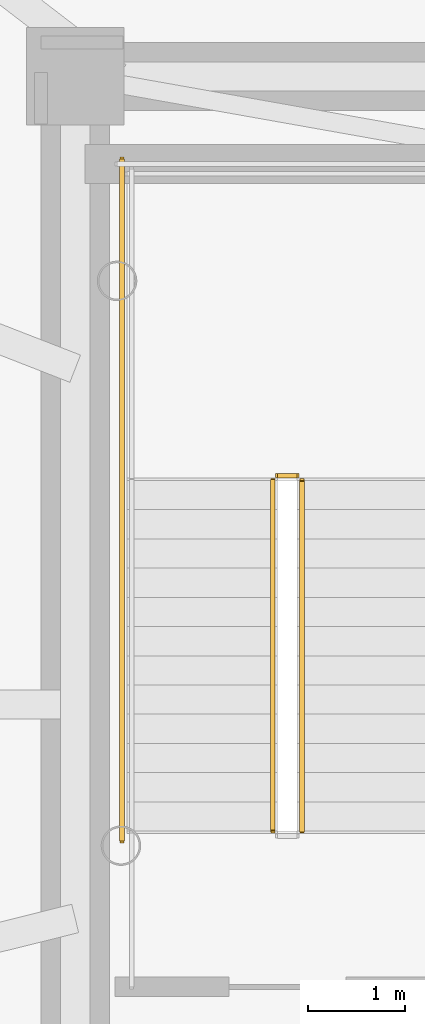
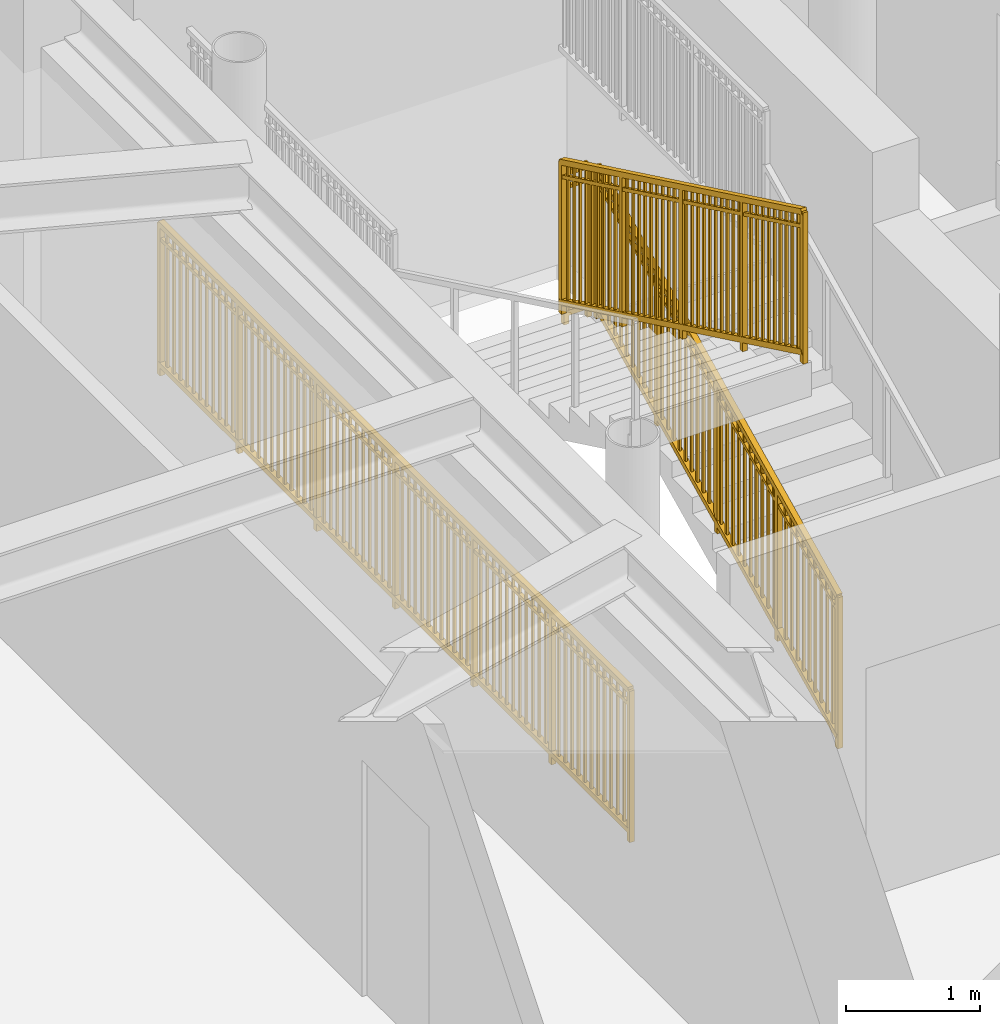
# One storey, part 13 of 17: 4 railings.
"""IFC4 building model written with IfcOpenShell, lengths in metres."""

from ifc_helpers import new_model, si_unit, direction, frame, origin, origin_2d, place, context, subcontext, project, spatial, rectangle, extrude, source, transform, mapped, material, type_object, element, save


model = new_model("IFC4")

# Units and contexts
model_context = context("Model", 3, precision=1e-05, world=origin(), true_north=direction((0.0, 1.0)))
body_context = subcontext(model_context, "Body", "Model", "MODEL_VIEW")
ifc_project = project(units=[si_unit("LENGTHUNIT", "METRE"), si_unit("AREAUNIT", "SQUARE_METRE"), si_unit("VOLUMEUNIT", "CUBIC_METRE"), si_unit("PLANEANGLEUNIT", "RADIAN"), si_unit("MASSUNIT", "GRAM", prefix="KILO")], contexts=[model_context])

# Site, building, storey
site_placement = place(None, origin())
site = spatial("IfcSite", under=ifc_project, at=site_placement, CompositionType="ELEMENT")
building_placement = place(site_placement, origin())
building = spatial("IfcBuilding", under=site, at=building_placement, Name="Linh Dai School and Residence Tower", CompositionType="ELEMENT")
storey_placement = place(building_placement, frame((0.0, 0.0, 276.75)))
storey = spatial("IfcBuildingStorey", under=building, at=storey_placement, Name="L68", CompositionType="ELEMENT", Elevation=276.75)

# Railings
ifc_material = material(Name="Structural Steel S355JR", Category="steel")
railing_type = type_object("IfcRailingType", Name="RL-ST-GUARD-1400", PredefinedType="GUARDRAIL", material=ifc_material)
shared_shape_1 = source(origin(), body_context, "Body", "SweptSolid", [
    extrude(rectangle(XDim=0.048095703125, YDim=0.048095703125, at=origin_2d()), frame((0.0, 0.0, 1.3759765625), z_axis=(-1.0, 0.0, 0.0), x_axis=(0.0, -1.0, 0.0)), (0.0, 0.0, 1.0), 0.199951171875),
    extrude(rectangle(XDim=0.048095703125, YDim=0.048095703125, at=origin_2d()), frame((0.0, 0.0, 0.10009765625), z_axis=(-1.0, 0.0, 0.0), x_axis=(0.0, -1.0, 0.0)), (0.0, 0.0, 1.0), 0.199951171875),
    extrude(rectangle(XDim=0.030029296875, YDim=0.030029296875, at=origin_2d()), frame((0.0, 0.0, 1.239990234375), z_axis=(-1.0, 0.0, 0.0), x_axis=(0.0, -1.0, 0.0)), (0.0, 0.0, 1.0), 0.199951171875),
    extrude(rectangle(XDim=0.0419921875, YDim=0.0419921875, at=origin_2d()), origin(), (0.0, 0.0, 1.0), 1.3759765625),
    extrude(rectangle(XDim=0.0419921875, YDim=0.0419921875, at=origin_2d()), frame((-0.199951171875, 0.0, 0.0)), (0.0, 0.0, 1.0), 1.3759765625),
])
railing_1_placement = place(storey_placement, frame((29.429931640625, 29.35009765625, 1.875)))
element("IfcRailing", 1, at=railing_1_placement, inside=storey, type_object=railing_type, Name="L68 ST1 stair guard 2", PredefinedType="GUARDRAIL", context=body_context, shape_type="MappedRepresentation", body=[
    mapped(shared_shape_1, transform((0.0, 0.0, 0.0), x_axis=(1.0, 0.0, 0.0), y_axis=(0.0, 1.0, 0.0), z_axis=(0.0, 0.0, 1.0), scale=1.0)),
])
shared_shape_2 = source(origin(), body_context, "Body", "SweptSolid", [
    extrude(rectangle(XDim=0.048095703125, YDim=0.048095703125, at=origin_2d()), frame((0.0, 0.0, 1.3759765625), z_axis=(0.0, 1.0, 0.0), x_axis=(-1.0, 0.0, 0.0)), (0.0, 0.0, 1.0), 7.0),
    extrude(rectangle(XDim=0.048095703125, YDim=0.048095703125, at=origin_2d()), frame((0.0, 0.0, 0.10009765625), z_axis=(0.0, 1.0, 0.0), x_axis=(-1.0, 0.0, 0.0)), (0.0, 0.0, 1.0), 7.0),
    extrude(rectangle(XDim=0.030029296875, YDim=0.030029296875, at=origin_2d()), frame((0.0, 0.0, 1.239990234375), z_axis=(0.0, 1.0, 0.0), x_axis=(-1.0, 0.0, 0.0)), (0.0, 0.0, 1.0), 7.0),
    extrude(rectangle(XDim=0.02001953125, YDim=0.02001953125, at=origin_2d()), frame((0.0, 0.09716796875, 0.10009765625)), (0.0, 0.0, 1.0), 1.251708984375),
    extrude(rectangle(XDim=0.02001953125, YDim=0.02001953125, at=origin_2d()), frame((0.0, 0.1943359375, 0.10009765625)), (0.0, 0.0, 1.0), 1.251708984375),
    extrude(rectangle(XDim=0.02001953125, YDim=0.02001953125, at=origin_2d()), frame((0.0, 0.291748046875, 0.10009765625)), (0.0, 0.0, 1.0), 1.251708984375),
    extrude(rectangle(XDim=0.02001953125, YDim=0.02001953125, at=origin_2d()), frame((0.0, 0.388916015625, 0.10009765625)), (0.0, 0.0, 1.0), 1.251708984375),
    extrude(rectangle(XDim=0.02001953125, YDim=0.02001953125, at=origin_2d()), frame((0.0, 0.486083984375, 0.10009765625)), (0.0, 0.0, 1.0), 1.251708984375),
    extrude(rectangle(XDim=0.02001953125, YDim=0.02001953125, at=origin_2d()), frame((0.0, 0.583251953125, 0.10009765625)), (0.0, 0.0, 1.0), 1.251708984375),
    extrude(rectangle(XDim=0.02001953125, YDim=0.02001953125, at=origin_2d()), frame((0.0, 0.6806640625, 0.10009765625)), (0.0, 0.0, 1.0), 1.251708984375),
    extrude(rectangle(XDim=0.02001953125, YDim=0.02001953125, at=origin_2d()), frame((0.0, 0.77783203125, 0.10009765625)), (0.0, 0.0, 1.0), 1.251708984375),
    extrude(rectangle(XDim=0.02001953125, YDim=0.02001953125, at=origin_2d()), frame((0.0, 0.875, 0.10009765625)), (0.0, 0.0, 1.0), 1.251708984375),
    extrude(rectangle(XDim=0.02001953125, YDim=0.02001953125, at=origin_2d()), frame((0.0, 0.97216796875, 0.10009765625)), (0.0, 0.0, 1.0), 1.251708984375),
    extrude(rectangle(XDim=0.02001953125, YDim=0.02001953125, at=origin_2d()), frame((0.0, 1.0693359375, 0.10009765625)), (0.0, 0.0, 1.0), 1.251708984375),
    extrude(rectangle(XDim=0.02001953125, YDim=0.02001953125, at=origin_2d()), frame((0.0, 1.263916015625, 0.10009765625)), (0.0, 0.0, 1.0), 1.251708984375),
    extrude(rectangle(XDim=0.02001953125, YDim=0.02001953125, at=origin_2d()), frame((0.0, 1.361083984375, 0.10009765625)), (0.0, 0.0, 1.0), 1.251708984375),
    extrude(rectangle(XDim=0.02001953125, YDim=0.02001953125, at=origin_2d()), frame((0.0, 1.458251953125, 0.10009765625)), (0.0, 0.0, 1.0), 1.251708984375),
    extrude(rectangle(XDim=0.02001953125, YDim=0.02001953125, at=origin_2d()), frame((0.0, 1.5556640625, 0.10009765625)), (0.0, 0.0, 1.0), 1.251708984375),
    extrude(rectangle(XDim=0.02001953125, YDim=0.02001953125, at=origin_2d()), frame((0.0, 1.65283203125, 0.10009765625)), (0.0, 0.0, 1.0), 1.251708984375),
    extrude(rectangle(XDim=0.02001953125, YDim=0.02001953125, at=origin_2d()), frame((0.0, 1.75, 0.10009765625)), (0.0, 0.0, 1.0), 1.251708984375),
    extrude(rectangle(XDim=0.02001953125, YDim=0.02001953125, at=origin_2d()), frame((0.0, 1.84716796875, 0.10009765625)), (0.0, 0.0, 1.0), 1.251708984375),
    extrude(rectangle(XDim=0.02001953125, YDim=0.02001953125, at=origin_2d()), frame((0.0, 1.9443359375, 0.10009765625)), (0.0, 0.0, 1.0), 1.251708984375),
    extrude(rectangle(XDim=0.02001953125, YDim=0.02001953125, at=origin_2d()), frame((0.0, 2.041748046875, 0.10009765625)), (0.0, 0.0, 1.0), 1.251708984375),
    extrude(rectangle(XDim=0.02001953125, YDim=0.02001953125, at=origin_2d()), frame((0.0, 2.138916015625, 0.10009765625)), (0.0, 0.0, 1.0), 1.251708984375),
    extrude(rectangle(XDim=0.02001953125, YDim=0.02001953125, at=origin_2d()), frame((0.0, 2.236083984375, 0.10009765625)), (0.0, 0.0, 1.0), 1.251708984375),
    extrude(rectangle(XDim=0.02001953125, YDim=0.02001953125, at=origin_2d()), frame((0.0, 2.4306640625, 0.10009765625)), (0.0, 0.0, 1.0), 1.251708984375),
    extrude(rectangle(XDim=0.02001953125, YDim=0.02001953125, at=origin_2d()), frame((0.0, 2.52783203125, 0.10009765625)), (0.0, 0.0, 1.0), 1.251708984375),
    extrude(rectangle(XDim=0.02001953125, YDim=0.02001953125, at=origin_2d()), frame((0.0, 2.625, 0.10009765625)), (0.0, 0.0, 1.0), 1.251708984375),
    extrude(rectangle(XDim=0.02001953125, YDim=0.02001953125, at=origin_2d()), frame((0.0, 2.72216796875, 0.10009765625)), (0.0, 0.0, 1.0), 1.251708984375),
    extrude(rectangle(XDim=0.02001953125, YDim=0.02001953125, at=origin_2d()), frame((0.0, 2.8193359375, 0.10009765625)), (0.0, 0.0, 1.0), 1.251708984375),
    extrude(rectangle(XDim=0.02001953125, YDim=0.02001953125, at=origin_2d()), frame((0.0, 2.916748046875, 0.10009765625)), (0.0, 0.0, 1.0), 1.251708984375),
    extrude(rectangle(XDim=0.02001953125, YDim=0.02001953125, at=origin_2d()), frame((0.0, 3.013916015625, 0.10009765625)), (0.0, 0.0, 1.0), 1.251708984375),
    extrude(rectangle(XDim=0.02001953125, YDim=0.02001953125, at=origin_2d()), frame((0.0, 3.111083984375, 0.10009765625)), (0.0, 0.0, 1.0), 1.251708984375),
    extrude(rectangle(XDim=0.02001953125, YDim=0.02001953125, at=origin_2d()), frame((0.0, 3.208251953125, 0.10009765625)), (0.0, 0.0, 1.0), 1.251708984375),
    extrude(rectangle(XDim=0.02001953125, YDim=0.02001953125, at=origin_2d()), frame((0.0, 3.3056640625, 0.10009765625)), (0.0, 0.0, 1.0), 1.251708984375),
    extrude(rectangle(XDim=0.02001953125, YDim=0.02001953125, at=origin_2d()), frame((0.0, 3.40283203125, 0.10009765625)), (0.0, 0.0, 1.0), 1.251708984375),
    extrude(rectangle(XDim=0.02001953125, YDim=0.02001953125, at=origin_2d()), frame((0.0, 3.59716796875, 0.10009765625)), (0.0, 0.0, 1.0), 1.251708984375),
    extrude(rectangle(XDim=0.02001953125, YDim=0.02001953125, at=origin_2d()), frame((0.0, 3.6943359375, 0.10009765625)), (0.0, 0.0, 1.0), 1.251708984375),
    extrude(rectangle(XDim=0.02001953125, YDim=0.02001953125, at=origin_2d()), frame((0.0, 3.791748046875, 0.10009765625)), (0.0, 0.0, 1.0), 1.251708984375),
    extrude(rectangle(XDim=0.02001953125, YDim=0.02001953125, at=origin_2d()), frame((0.0, 3.888916015625, 0.10009765625)), (0.0, 0.0, 1.0), 1.251708984375),
    extrude(rectangle(XDim=0.02001953125, YDim=0.02001953125, at=origin_2d()), frame((0.0, 3.986083984375, 0.10009765625)), (0.0, 0.0, 1.0), 1.251708984375),
    extrude(rectangle(XDim=0.02001953125, YDim=0.02001953125, at=origin_2d()), frame((0.0, 4.083251953125, 0.10009765625)), (0.0, 0.0, 1.0), 1.251708984375),
    extrude(rectangle(XDim=0.02001953125, YDim=0.02001953125, at=origin_2d()), frame((0.0, 4.1806640625, 0.10009765625)), (0.0, 0.0, 1.0), 1.251708984375),
    extrude(rectangle(XDim=0.02001953125, YDim=0.02001953125, at=origin_2d()), frame((0.0, 4.27783203125, 0.10009765625)), (0.0, 0.0, 1.0), 1.251708984375),
    extrude(rectangle(XDim=0.02001953125, YDim=0.02001953125, at=origin_2d()), frame((0.0, 4.375, 0.10009765625)), (0.0, 0.0, 1.0), 1.251708984375),
    extrude(rectangle(XDim=0.02001953125, YDim=0.02001953125, at=origin_2d()), frame((0.0, 4.47216796875, 0.10009765625)), (0.0, 0.0, 1.0), 1.251708984375),
    extrude(rectangle(XDim=0.02001953125, YDim=0.02001953125, at=origin_2d()), frame((0.0, 4.5693359375, 0.10009765625)), (0.0, 0.0, 1.0), 1.251708984375),
    extrude(rectangle(XDim=0.02001953125, YDim=0.02001953125, at=origin_2d()), frame((0.0, 4.763916015625, 0.10009765625)), (0.0, 0.0, 1.0), 1.251708984375),
    extrude(rectangle(XDim=0.02001953125, YDim=0.02001953125, at=origin_2d()), frame((0.0, 4.861083984375, 0.10009765625)), (0.0, 0.0, 1.0), 1.251708984375),
    extrude(rectangle(XDim=0.02001953125, YDim=0.02001953125, at=origin_2d()), frame((0.0, 4.958251953125, 0.10009765625)), (0.0, 0.0, 1.0), 1.251708984375),
    extrude(rectangle(XDim=0.02001953125, YDim=0.02001953125, at=origin_2d()), frame((0.0, 5.0556640625, 0.10009765625)), (0.0, 0.0, 1.0), 1.251708984375),
    extrude(rectangle(XDim=0.02001953125, YDim=0.02001953125, at=origin_2d()), frame((0.0, 5.15283203125, 0.10009765625)), (0.0, 0.0, 1.0), 1.251708984375),
    extrude(rectangle(XDim=0.02001953125, YDim=0.02001953125, at=origin_2d()), frame((0.0, 5.25, 0.10009765625)), (0.0, 0.0, 1.0), 1.251708984375),
    extrude(rectangle(XDim=0.02001953125, YDim=0.02001953125, at=origin_2d()), frame((0.0, 5.34716796875, 0.10009765625)), (0.0, 0.0, 1.0), 1.251708984375),
    extrude(rectangle(XDim=0.02001953125, YDim=0.02001953125, at=origin_2d()), frame((0.0, 5.4443359375, 0.10009765625)), (0.0, 0.0, 1.0), 1.251708984375),
    extrude(rectangle(XDim=0.02001953125, YDim=0.02001953125, at=origin_2d()), frame((0.0, 5.541748046875, 0.10009765625)), (0.0, 0.0, 1.0), 1.251708984375),
    extrude(rectangle(XDim=0.02001953125, YDim=0.02001953125, at=origin_2d()), frame((0.0, 5.638916015625, 0.10009765625)), (0.0, 0.0, 1.0), 1.251708984375),
    extrude(rectangle(XDim=0.02001953125, YDim=0.02001953125, at=origin_2d()), frame((0.0, 5.736083984375, 0.10009765625)), (0.0, 0.0, 1.0), 1.251708984375),
    extrude(rectangle(XDim=0.02001953125, YDim=0.02001953125, at=origin_2d()), frame((0.0, 5.9306640625, 0.10009765625)), (0.0, 0.0, 1.0), 1.251708984375),
    extrude(rectangle(XDim=0.02001953125, YDim=0.02001953125, at=origin_2d()), frame((0.0, 6.02783203125, 0.10009765625)), (0.0, 0.0, 1.0), 1.251708984375),
    extrude(rectangle(XDim=0.02001953125, YDim=0.02001953125, at=origin_2d()), frame((0.0, 6.125, 0.10009765625)), (0.0, 0.0, 1.0), 1.251708984375),
    extrude(rectangle(XDim=0.02001953125, YDim=0.02001953125, at=origin_2d()), frame((0.0, 6.22216796875, 0.10009765625)), (0.0, 0.0, 1.0), 1.251708984375),
    extrude(rectangle(XDim=0.02001953125, YDim=0.02001953125, at=origin_2d()), frame((0.0, 6.3193359375, 0.10009765625)), (0.0, 0.0, 1.0), 1.251708984375),
    extrude(rectangle(XDim=0.02001953125, YDim=0.02001953125, at=origin_2d()), frame((0.0, 6.416748046875, 0.10009765625)), (0.0, 0.0, 1.0), 1.251708984375),
    extrude(rectangle(XDim=0.02001953125, YDim=0.02001953125, at=origin_2d()), frame((0.0, 6.513916015625, 0.10009765625)), (0.0, 0.0, 1.0), 1.251708984375),
    extrude(rectangle(XDim=0.02001953125, YDim=0.02001953125, at=origin_2d()), frame((0.0, 6.611083984375, 0.10009765625)), (0.0, 0.0, 1.0), 1.251708984375),
    extrude(rectangle(XDim=0.02001953125, YDim=0.02001953125, at=origin_2d()), frame((0.0, 6.708251953125, 0.10009765625)), (0.0, 0.0, 1.0), 1.251708984375),
    extrude(rectangle(XDim=0.02001953125, YDim=0.02001953125, at=origin_2d()), frame((0.0, 6.8056640625, 0.10009765625)), (0.0, 0.0, 1.0), 1.251708984375),
    extrude(rectangle(XDim=0.02001953125, YDim=0.02001953125, at=origin_2d()), frame((0.0, 6.90283203125, 0.10009765625)), (0.0, 0.0, 1.0), 1.251708984375),
    extrude(rectangle(XDim=0.0419921875, YDim=0.0419921875, at=origin_2d()), origin(), (0.0, 0.0, 1.0), 1.3759765625),
    extrude(rectangle(XDim=0.0419921875, YDim=0.0419921875, at=origin_2d()), frame((0.0, 1.166748046875, 0.0)), (0.0, 0.0, 1.0), 1.3759765625),
    extrude(rectangle(XDim=0.0419921875, YDim=0.0419921875, at=origin_2d()), frame((0.0, 2.333251953125, 0.0)), (0.0, 0.0, 1.0), 1.3759765625),
    extrude(rectangle(XDim=0.0419921875, YDim=0.0419921875, at=origin_2d()), frame((0.0, 3.5, 0.0)), (0.0, 0.0, 1.0), 1.3759765625),
    extrude(rectangle(XDim=0.0419921875, YDim=0.0419921875, at=origin_2d()), frame((0.0, 4.666748046875, 0.0)), (0.0, 0.0, 1.0), 1.3759765625),
    extrude(rectangle(XDim=0.0419921875, YDim=0.0419921875, at=origin_2d()), frame((0.0, 5.833251953125, 0.0)), (0.0, 0.0, 1.0), 1.3759765625),
    extrude(rectangle(XDim=0.0419921875, YDim=0.0419921875, at=origin_2d()), frame((0.0, 7.0, 0.0)), (0.0, 0.0, 1.0), 1.3759765625),
])
railing_2_placement = place(storey_placement, frame((27.6298828125, 25.60009765625, 0.0)))
element("IfcRailing", 2, at=railing_2_placement, inside=storey, type_object=railing_type, Name="L68 ST1 stair guard 11", PredefinedType="GUARDRAIL", context=body_context, shape_type="MappedRepresentation", body=[
    mapped(shared_shape_2, transform((0.0, 0.0, 0.0), x_axis=(1.0, 0.0, 0.0), y_axis=(0.0, 1.0, 0.0), z_axis=(0.0, 0.0, 1.0), scale=1.0)),
])
shared_shape_3 = source(origin(), body_context, "Body", "SweptSolid", [
    extrude(rectangle(XDim=0.048095703125, YDim=0.048095703125, at=origin_2d()), frame((0.0, 0.0, 1.3759765625), z_axis=(0.0, 0.901262522062, 0.433273431364), x_axis=(-1.0, 0.0, 0.0)), (0.0, 0.0, 1.0), 3.994384765625),
    extrude(rectangle(XDim=0.048095703125, YDim=0.048095703125, at=origin_2d()), frame((0.0, 0.0, 0.10009765625), z_axis=(0.0, 0.901262522062, 0.433273431364), x_axis=(-1.0, 0.0, 0.0)), (0.0, 0.0, 1.0), 3.994384765625),
    extrude(rectangle(XDim=0.030029296875, YDim=0.030029296875, at=origin_2d()), frame((0.0, 0.0, 1.239990234375), z_axis=(0.0, 0.901262522062, 0.433273431364), x_axis=(-1.0, 0.0, 0.0)), (0.0, 0.0, 1.0), 3.994384765625),
    extrude(rectangle(XDim=0.02001953125, YDim=0.02001953125, at=origin_2d()), frame((0.0, 0.087890625, 0.142333984375)), (0.0, 0.0, 1.0), 1.251708984375),
    extrude(rectangle(XDim=0.02001953125, YDim=0.02001953125, at=origin_2d()), frame((0.0, 0.175537109375, 0.1845703125)), (0.0, 0.0, 1.0), 1.251708984375),
    extrude(rectangle(XDim=0.02001953125, YDim=0.02001953125, at=origin_2d()), frame((0.0, 0.263427734375, 0.226806640625)), (0.0, 0.0, 1.0), 1.251708984375),
    extrude(rectangle(XDim=0.02001953125, YDim=0.02001953125, at=origin_2d()), frame((0.0, 0.351318359375, 0.26904296875)), (0.0, 0.0, 1.0), 1.251708984375),
    extrude(rectangle(XDim=0.02001953125, YDim=0.02001953125, at=origin_2d()), frame((0.0, 0.43896484375, 0.311279296875)), (0.0, 0.0, 1.0), 1.251708984375),
    extrude(rectangle(XDim=0.02001953125, YDim=0.02001953125, at=origin_2d()), frame((0.0, 0.52685546875, 0.353271484375)), (0.0, 0.0, 1.0), 1.251708984375),
    extrude(rectangle(XDim=0.02001953125, YDim=0.02001953125, at=origin_2d()), frame((0.0, 0.61474609375, 0.3955078125)), (0.0, 0.0, 1.0), 1.251708984375),
    extrude(rectangle(XDim=0.02001953125, YDim=0.02001953125, at=origin_2d()), frame((0.0, 0.702392578125, 0.437744140625)), (0.0, 0.0, 1.0), 1.251708984375),
    extrude(rectangle(XDim=0.02001953125, YDim=0.02001953125, at=origin_2d()), frame((0.0, 0.790283203125, 0.47998046875)), (0.0, 0.0, 1.0), 1.251708984375),
    extrude(rectangle(XDim=0.02001953125, YDim=0.02001953125, at=origin_2d()), frame((0.0, 0.9658203125, 0.564453125)), (0.0, 0.0, 1.0), 1.251708984375),
    extrude(rectangle(XDim=0.02001953125, YDim=0.02001953125, at=origin_2d()), frame((0.0, 1.0537109375, 0.606689453125)), (0.0, 0.0, 1.0), 1.251708984375),
    extrude(rectangle(XDim=0.02001953125, YDim=0.02001953125, at=origin_2d()), frame((0.0, 1.1416015625, 0.64892578125)), (0.0, 0.0, 1.0), 1.251708984375),
    extrude(rectangle(XDim=0.02001953125, YDim=0.02001953125, at=origin_2d()), frame((0.0, 1.229248046875, 0.691162109375)), (0.0, 0.0, 1.0), 1.251708984375),
    extrude(rectangle(XDim=0.02001953125, YDim=0.02001953125, at=origin_2d()), frame((0.0, 1.317138671875, 0.7333984375)), (0.0, 0.0, 1.0), 1.251708984375),
    extrude(rectangle(XDim=0.02001953125, YDim=0.02001953125, at=origin_2d()), frame((0.0, 1.405029296875, 0.775390625)), (0.0, 0.0, 1.0), 1.251708984375),
    extrude(rectangle(XDim=0.02001953125, YDim=0.02001953125, at=origin_2d()), frame((0.0, 1.49267578125, 0.817626953125)), (0.0, 0.0, 1.0), 1.251708984375),
    extrude(rectangle(XDim=0.02001953125, YDim=0.02001953125, at=origin_2d()), frame((0.0, 1.58056640625, 0.85986328125)), (0.0, 0.0, 1.0), 1.251708984375),
    extrude(rectangle(XDim=0.02001953125, YDim=0.02001953125, at=origin_2d()), frame((0.0, 1.66845703125, 0.902099609375)), (0.0, 0.0, 1.0), 1.251708984375),
    extrude(rectangle(XDim=0.02001953125, YDim=0.02001953125, at=origin_2d()), frame((0.0, 1.756103515625, 0.9443359375)), (0.0, 0.0, 1.0), 1.251708984375),
    extrude(rectangle(XDim=0.02001953125, YDim=0.02001953125, at=origin_2d()), frame((0.0, 1.843994140625, 0.986572265625)), (0.0, 0.0, 1.0), 1.251708984375),
    extrude(rectangle(XDim=0.02001953125, YDim=0.02001953125, at=origin_2d()), frame((0.0, 1.931640625, 1.02880859375)), (0.0, 0.0, 1.0), 1.251708984375),
    extrude(rectangle(XDim=0.02001953125, YDim=0.02001953125, at=origin_2d()), frame((0.0, 2.01953125, 1.071044921875)), (0.0, 0.0, 1.0), 1.251708984375),
    extrude(rectangle(XDim=0.02001953125, YDim=0.02001953125, at=origin_2d()), frame((0.0, 2.107421875, 1.11328125)), (0.0, 0.0, 1.0), 1.251708984375),
    extrude(rectangle(XDim=0.02001953125, YDim=0.02001953125, at=origin_2d()), frame((0.0, 2.195068359375, 1.155517578125)), (0.0, 0.0, 1.0), 1.251708984375),
    extrude(rectangle(XDim=0.02001953125, YDim=0.02001953125, at=origin_2d()), frame((0.0, 2.282958984375, 1.197509765625)), (0.0, 0.0, 1.0), 1.251708984375),
    extrude(rectangle(XDim=0.02001953125, YDim=0.02001953125, at=origin_2d()), frame((0.0, 2.370849609375, 1.23974609375)), (0.0, 0.0, 1.0), 1.251708984375),
    extrude(rectangle(XDim=0.02001953125, YDim=0.02001953125, at=origin_2d()), frame((0.0, 2.45849609375, 1.281982421875)), (0.0, 0.0, 1.0), 1.251708984375),
    extrude(rectangle(XDim=0.02001953125, YDim=0.02001953125, at=origin_2d()), frame((0.0, 2.54638671875, 1.32421875)), (0.0, 0.0, 1.0), 1.251708984375),
    extrude(rectangle(XDim=0.02001953125, YDim=0.02001953125, at=origin_2d()), frame((0.0, 2.63427734375, 1.366455078125)), (0.0, 0.0, 1.0), 1.251708984375),
    extrude(rectangle(XDim=0.02001953125, YDim=0.02001953125, at=origin_2d()), frame((0.0, 2.809814453125, 1.450927734375)), (0.0, 0.0, 1.0), 1.251708984375),
    extrude(rectangle(XDim=0.02001953125, YDim=0.02001953125, at=origin_2d()), frame((0.0, 2.897705078125, 1.4931640625)), (0.0, 0.0, 1.0), 1.251708984375),
    extrude(rectangle(XDim=0.02001953125, YDim=0.02001953125, at=origin_2d()), frame((0.0, 2.9853515625, 1.535400390625)), (0.0, 0.0, 1.0), 1.251708984375),
    extrude(rectangle(XDim=0.02001953125, YDim=0.02001953125, at=origin_2d()), frame((0.0, 3.0732421875, 1.57763671875)), (0.0, 0.0, 1.0), 1.251708984375),
    extrude(rectangle(XDim=0.02001953125, YDim=0.02001953125, at=origin_2d()), frame((0.0, 3.1611328125, 1.61962890625)), (0.0, 0.0, 1.0), 1.251708984375),
    extrude(rectangle(XDim=0.02001953125, YDim=0.02001953125, at=origin_2d()), frame((0.0, 3.248779296875, 1.661865234375)), (0.0, 0.0, 1.0), 1.251708984375),
    extrude(rectangle(XDim=0.02001953125, YDim=0.02001953125, at=origin_2d()), frame((0.0, 3.336669921875, 1.7041015625)), (0.0, 0.0, 1.0), 1.251708984375),
    extrude(rectangle(XDim=0.02001953125, YDim=0.02001953125, at=origin_2d()), frame((0.0, 3.424560546875, 1.746337890625)), (0.0, 0.0, 1.0), 1.251708984375),
    extrude(rectangle(XDim=0.02001953125, YDim=0.02001953125, at=origin_2d()), frame((0.0, 3.51220703125, 1.78857421875)), (0.0, 0.0, 1.0), 1.251708984375),
    extrude(rectangle(XDim=0.0419921875, YDim=0.0419921875, at=origin_2d()), origin(), (0.0, 0.0, 1.0), 1.3759765625),
    extrude(rectangle(XDim=0.0419921875, YDim=0.0419921875, at=origin_2d()), frame((0.0, 0.89990234375, 0.4326171875)), (0.0, 0.0, 1.0), 1.3759765625),
    extrude(rectangle(XDim=0.0419921875, YDim=0.0419921875, at=origin_2d()), frame((0.0, 1.800048828125, 0.865234375)), (0.0, 0.0, 1.0), 1.3759765625),
    extrude(rectangle(XDim=0.0419921875, YDim=0.0419921875, at=origin_2d()), frame((0.0, 2.7001953125, 1.298095703125)), (0.0, 0.0, 1.0), 1.3759765625),
    extrude(rectangle(XDim=0.0419921875, YDim=0.0419921875, at=origin_2d()), frame((0.0, 3.60009765625, 1.730712890625)), (0.0, 0.0, 1.0), 1.3759765625),
])
railing_3_placement = place(storey_placement, frame((29.47998046875, 25.699951171875, 0.144287109375)))
element("IfcRailing", 3, at=railing_3_placement, inside=storey, type_object=railing_type, Name="L68 ST1 stair guard 1", PredefinedType="GUARDRAIL", context=body_context, shape_type="MappedRepresentation", body=[
    mapped(shared_shape_3, transform((0.0, 0.0, 0.0), x_axis=(1.0, 0.0, 0.0), y_axis=(0.0, 1.0, 0.0), z_axis=(0.0, 0.0, 1.0), scale=1.0)),
])
shared_shape_4 = source(origin(), body_context, "Body", "SweptSolid", [
    extrude(rectangle(XDim=0.048095703125, YDim=0.048095703125, at=origin_2d()), frame((0.0, 0.0, 1.3759765625), z_axis=(0.0, -0.901262522062, 0.433273431364), x_axis=(1.0, 0.0, 0.0)), (0.0, 0.0, 1.0), 3.994384765625),
    extrude(rectangle(XDim=0.048095703125, YDim=0.048095703125, at=origin_2d()), frame((0.0, 0.0, 0.10009765625), z_axis=(0.0, -0.901262522062, 0.433273431364), x_axis=(1.0, 0.0, 0.0)), (0.0, 0.0, 1.0), 3.994384765625),
    extrude(rectangle(XDim=0.030029296875, YDim=0.030029296875, at=origin_2d()), frame((0.0, 0.0, 1.239990234375), z_axis=(0.0, -0.901262522062, 0.433273431364), x_axis=(1.0, 0.0, 0.0)), (0.0, 0.0, 1.0), 3.994384765625),
    extrude(rectangle(XDim=0.02001953125, YDim=0.02001953125, at=origin_2d()), frame((0.0, -0.087890625, 0.142333984375)), (0.0, 0.0, 1.0), 1.251708984375),
    extrude(rectangle(XDim=0.02001953125, YDim=0.02001953125, at=origin_2d()), frame((0.0, -0.175537109375, 0.1845703125)), (0.0, 0.0, 1.0), 1.251708984375),
    extrude(rectangle(XDim=0.02001953125, YDim=0.02001953125, at=origin_2d()), frame((0.0, -0.263427734375, 0.226806640625)), (0.0, 0.0, 1.0), 1.251708984375),
    extrude(rectangle(XDim=0.02001953125, YDim=0.02001953125, at=origin_2d()), frame((0.0, -0.351318359375, 0.26904296875)), (0.0, 0.0, 1.0), 1.251708984375),
    extrude(rectangle(XDim=0.02001953125, YDim=0.02001953125, at=origin_2d()), frame((0.0, -0.43896484375, 0.311279296875)), (0.0, 0.0, 1.0), 1.251708984375),
    extrude(rectangle(XDim=0.02001953125, YDim=0.02001953125, at=origin_2d()), frame((0.0, -0.52685546875, 0.353271484375)), (0.0, 0.0, 1.0), 1.251708984375),
    extrude(rectangle(XDim=0.02001953125, YDim=0.02001953125, at=origin_2d()), frame((0.0, -0.61474609375, 0.3955078125)), (0.0, 0.0, 1.0), 1.251708984375),
    extrude(rectangle(XDim=0.02001953125, YDim=0.02001953125, at=origin_2d()), frame((0.0, -0.702392578125, 0.437744140625)), (0.0, 0.0, 1.0), 1.251708984375),
    extrude(rectangle(XDim=0.02001953125, YDim=0.02001953125, at=origin_2d()), frame((0.0, -0.790283203125, 0.47998046875)), (0.0, 0.0, 1.0), 1.251708984375),
    extrude(rectangle(XDim=0.02001953125, YDim=0.02001953125, at=origin_2d()), frame((0.0, -0.9658203125, 0.564453125)), (0.0, 0.0, 1.0), 1.251708984375),
    extrude(rectangle(XDim=0.02001953125, YDim=0.02001953125, at=origin_2d()), frame((0.0, -1.0537109375, 0.606689453125)), (0.0, 0.0, 1.0), 1.251708984375),
    extrude(rectangle(XDim=0.02001953125, YDim=0.02001953125, at=origin_2d()), frame((0.0, -1.1416015625, 0.64892578125)), (0.0, 0.0, 1.0), 1.251708984375),
    extrude(rectangle(XDim=0.02001953125, YDim=0.02001953125, at=origin_2d()), frame((0.0, -1.229248046875, 0.691162109375)), (0.0, 0.0, 1.0), 1.251708984375),
    extrude(rectangle(XDim=0.02001953125, YDim=0.02001953125, at=origin_2d()), frame((0.0, -1.317138671875, 0.7333984375)), (0.0, 0.0, 1.0), 1.251708984375),
    extrude(rectangle(XDim=0.02001953125, YDim=0.02001953125, at=origin_2d()), frame((0.0, -1.405029296875, 0.775390625)), (0.0, 0.0, 1.0), 1.251708984375),
    extrude(rectangle(XDim=0.02001953125, YDim=0.02001953125, at=origin_2d()), frame((0.0, -1.49267578125, 0.817626953125)), (0.0, 0.0, 1.0), 1.251708984375),
    extrude(rectangle(XDim=0.02001953125, YDim=0.02001953125, at=origin_2d()), frame((0.0, -1.58056640625, 0.85986328125)), (0.0, 0.0, 1.0), 1.251708984375),
    extrude(rectangle(XDim=0.02001953125, YDim=0.02001953125, at=origin_2d()), frame((0.0, -1.66845703125, 0.902099609375)), (0.0, 0.0, 1.0), 1.251708984375),
    extrude(rectangle(XDim=0.02001953125, YDim=0.02001953125, at=origin_2d()), frame((0.0, -1.756103515625, 0.9443359375)), (0.0, 0.0, 1.0), 1.251708984375),
    extrude(rectangle(XDim=0.02001953125, YDim=0.02001953125, at=origin_2d()), frame((0.0, -1.843994140625, 0.986572265625)), (0.0, 0.0, 1.0), 1.251708984375),
    extrude(rectangle(XDim=0.02001953125, YDim=0.02001953125, at=origin_2d()), frame((0.0, -1.931640625, 1.02880859375)), (0.0, 0.0, 1.0), 1.251708984375),
    extrude(rectangle(XDim=0.02001953125, YDim=0.02001953125, at=origin_2d()), frame((0.0, -2.01953125, 1.071044921875)), (0.0, 0.0, 1.0), 1.251708984375),
    extrude(rectangle(XDim=0.02001953125, YDim=0.02001953125, at=origin_2d()), frame((0.0, -2.107421875, 1.11328125)), (0.0, 0.0, 1.0), 1.251708984375),
    extrude(rectangle(XDim=0.02001953125, YDim=0.02001953125, at=origin_2d()), frame((0.0, -2.195068359375, 1.155517578125)), (0.0, 0.0, 1.0), 1.251708984375),
    extrude(rectangle(XDim=0.02001953125, YDim=0.02001953125, at=origin_2d()), frame((0.0, -2.282958984375, 1.197509765625)), (0.0, 0.0, 1.0), 1.251708984375),
    extrude(rectangle(XDim=0.02001953125, YDim=0.02001953125, at=origin_2d()), frame((0.0, -2.370849609375, 1.23974609375)), (0.0, 0.0, 1.0), 1.251708984375),
    extrude(rectangle(XDim=0.02001953125, YDim=0.02001953125, at=origin_2d()), frame((0.0, -2.45849609375, 1.281982421875)), (0.0, 0.0, 1.0), 1.251708984375),
    extrude(rectangle(XDim=0.02001953125, YDim=0.02001953125, at=origin_2d()), frame((0.0, -2.54638671875, 1.32421875)), (0.0, 0.0, 1.0), 1.251708984375),
    extrude(rectangle(XDim=0.02001953125, YDim=0.02001953125, at=origin_2d()), frame((0.0, -2.63427734375, 1.366455078125)), (0.0, 0.0, 1.0), 1.251708984375),
    extrude(rectangle(XDim=0.02001953125, YDim=0.02001953125, at=origin_2d()), frame((0.0, -2.809814453125, 1.450927734375)), (0.0, 0.0, 1.0), 1.251708984375),
    extrude(rectangle(XDim=0.02001953125, YDim=0.02001953125, at=origin_2d()), frame((0.0, -2.897705078125, 1.4931640625)), (0.0, 0.0, 1.0), 1.251708984375),
    extrude(rectangle(XDim=0.02001953125, YDim=0.02001953125, at=origin_2d()), frame((0.0, -2.9853515625, 1.535400390625)), (0.0, 0.0, 1.0), 1.251708984375),
    extrude(rectangle(XDim=0.02001953125, YDim=0.02001953125, at=origin_2d()), frame((0.0, -3.0732421875, 1.57763671875)), (0.0, 0.0, 1.0), 1.251708984375),
    extrude(rectangle(XDim=0.02001953125, YDim=0.02001953125, at=origin_2d()), frame((0.0, -3.1611328125, 1.61962890625)), (0.0, 0.0, 1.0), 1.251708984375),
    extrude(rectangle(XDim=0.02001953125, YDim=0.02001953125, at=origin_2d()), frame((0.0, -3.248779296875, 1.661865234375)), (0.0, 0.0, 1.0), 1.251708984375),
    extrude(rectangle(XDim=0.02001953125, YDim=0.02001953125, at=origin_2d()), frame((0.0, -3.336669921875, 1.7041015625)), (0.0, 0.0, 1.0), 1.251708984375),
    extrude(rectangle(XDim=0.02001953125, YDim=0.02001953125, at=origin_2d()), frame((0.0, -3.424560546875, 1.746337890625)), (0.0, 0.0, 1.0), 1.251708984375),
    extrude(rectangle(XDim=0.02001953125, YDim=0.02001953125, at=origin_2d()), frame((0.0, -3.51220703125, 1.78857421875)), (0.0, 0.0, 1.0), 1.251708984375),
    extrude(rectangle(XDim=0.0419921875, YDim=0.0419921875, at=origin_2d()), origin(), (0.0, 0.0, 1.0), 1.3759765625),
    extrude(rectangle(XDim=0.0419921875, YDim=0.0419921875, at=origin_2d()), frame((0.0, -0.89990234375, 0.4326171875)), (0.0, 0.0, 1.0), 1.3759765625),
    extrude(rectangle(XDim=0.0419921875, YDim=0.0419921875, at=origin_2d()), frame((0.0, -1.800048828125, 0.865234375)), (0.0, 0.0, 1.0), 1.3759765625),
    extrude(rectangle(XDim=0.0419921875, YDim=0.0419921875, at=origin_2d()), frame((0.0, -2.7001953125, 1.298095703125)), (0.0, 0.0, 1.0), 1.3759765625),
    extrude(rectangle(XDim=0.0419921875, YDim=0.0419921875, at=origin_2d()), frame((0.0, -3.60009765625, 1.730712890625)), (0.0, 0.0, 1.0), 1.3759765625),
])
railing_4_placement = place(storey_placement, frame((29.179931640625, 29.300048828125, 2.019287109375)))
element("IfcRailing", 4, at=railing_4_placement, inside=storey, type_object=railing_type, Name="L68 ST1 stair guard 6", PredefinedType="GUARDRAIL", context=body_context, shape_type="MappedRepresentation", body=[
    mapped(shared_shape_4, transform((0.0, 0.0, 0.0), x_axis=(1.0, 0.0, 0.0), y_axis=(0.0, 1.0, 0.0), z_axis=(0.0, 0.0, 1.0), scale=1.0)),
])

save(model, "model.ifc")
